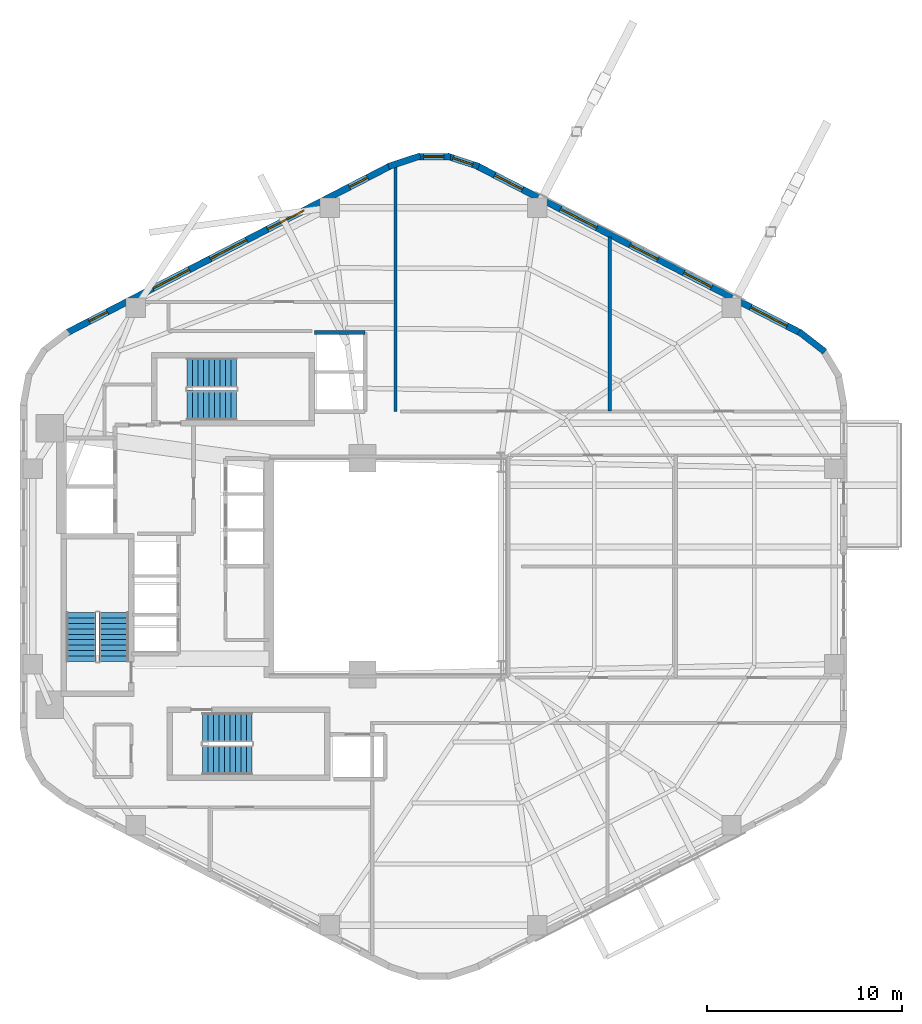
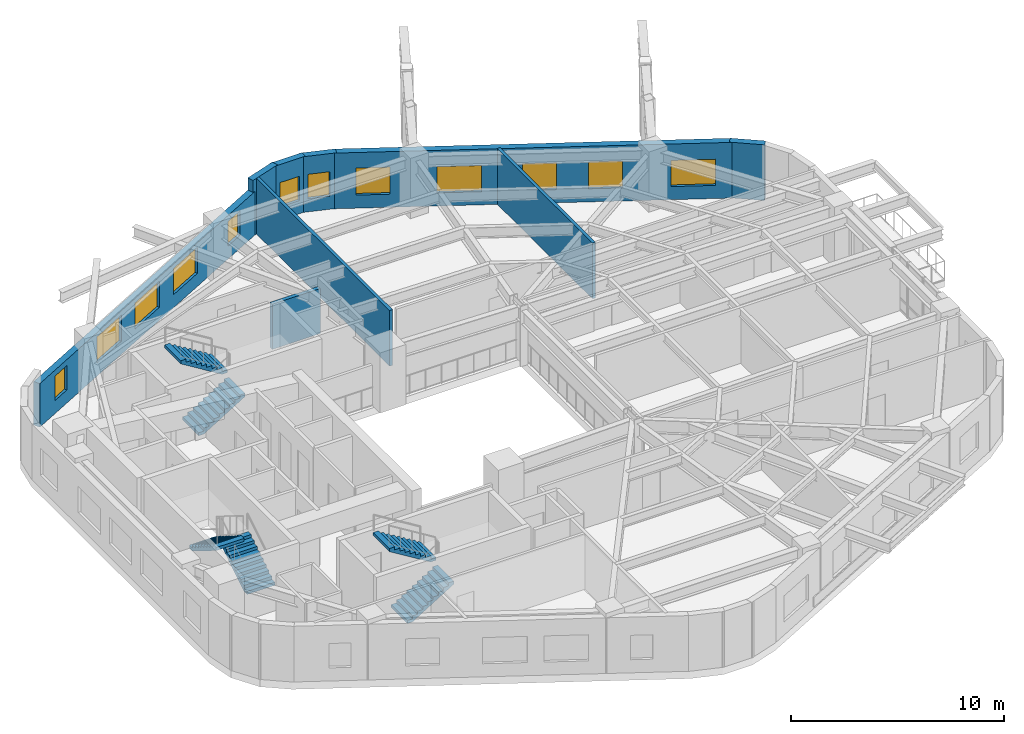
# One storey, part 7 of 9: 12 windows, 9 walls, 6 stair flights, 12 openings, 3 elements without a shape of their own.
"""IFC4 building model written with IfcOpenShell, lengths in metres."""

from ifc_helpers import new_model, si_unit, direction, frame, frame_2d, origin, place, context, subcontext, project, spatial, polyline, rectangle, outline, extrude, material, layer, layer_set, type_object, element, fill, aggregate, save


model = new_model("IFC4")

# Units and contexts
model_context = context("Model", 3, precision=1e-05, world=origin(), true_north=direction((0.0, 1.0)))
body_context = subcontext(model_context, "Body", "Model", "MODEL_VIEW")
ifc_project = project(units=[si_unit("LENGTHUNIT", "METRE"), si_unit("AREAUNIT", "SQUARE_METRE"), si_unit("VOLUMEUNIT", "CUBIC_METRE"), si_unit("PLANEANGLEUNIT", "RADIAN"), si_unit("MASSUNIT", "GRAM", prefix="KILO"), si_unit("THERMODYNAMICTEMPERATUREUNIT", "KELVIN"), si_unit("POWERUNIT", "WATT")], contexts=[model_context])

# Site, building, storey
site_placement = place(None, origin())
site = spatial("IfcSite", under=ifc_project, at=site_placement, CompositionType="ELEMENT")
building_placement = place(site_placement, origin())
building = spatial("IfcBuilding", under=site, at=building_placement, Name="Skarre Station Tower", CompositionType="ELEMENT")
storey_placement = place(building_placement, frame((0.0, 0.0, 101.550048828125)))
storey = spatial("IfcBuildingStorey", under=building, at=storey_placement, Name="L26", CompositionType="ELEMENT", Elevation=101.550048828125)

# Wall, openings, windows
ifc_material_1 = material(Name="Precast concrete C45/55", Category="concrete")
ifc_layer_1 = layer(ifc_material_1, 0.340087890625, Name="Precast concrete C45/55")
ifc_layer_set_1 = layer_set([ifc_layer_1], Name="Precast concrete C45/55")
wall_type_1 = type_object("IfcWallType", Name="Nordic Honed Precast Facet Wall 340", PredefinedType="STANDARD", material=ifc_layer_set_1)
wall_1_placement = place(storey_placement, frame((38.23095703125, 44.55810546875, 0.0), z_axis=(0.0, 0.0, 1.0), x_axis=(0.888613612362, -0.458656568606, 0.0)))
wall_1 = element("IfcWall", 1, at=wall_1_placement, inside=storey, type_object=wall_type_1, Name="L26 Facet 0 Nordic Precast Masonry Wall", PredefinedType="STANDARD", context=body_context, shape_type="SweptSolid", body=[
    extrude(rectangle(XDim=18.680908203125, YDim=0.340087890625, at=frame_2d((9.34033203125, 0.0))), origin(), (0.0, 0.0, 1.0), 3.18994140625),
])
opening_1_placement = place(wall_1_placement, frame((1.02294921875, 0.0, 0.75)))
opening_1 = element("IfcOpeningElement", 2, at=opening_1_placement, cuts=wall_1, Name="Opening WN-Z2A", PredefinedType="OPENING", context=body_context, shape_type="SweptSolid", body=[
    extrude(rectangle(XDim=1.60009765625, YDim=1.550048828125, at=frame_2d((0.800048828125, 0.77490234375))), frame((0.0, 0.179931640625, 0.0), z_axis=(0.0, -1.0, 0.0), x_axis=(1.0, 0.0, 0.0)), (0.0, 0.0, 1.0), 0.360107421875),
])
opening_2_placement = place(wall_1_placement, frame((4.820068359375, 0.0, 0.75)))
opening_2 = element("IfcOpeningElement", 3, at=opening_2_placement, cuts=wall_1, Name="Opening WN-Z2B", PredefinedType="OPENING", context=body_context, shape_type="SweptSolid", body=[
    extrude(rectangle(XDim=2.10009765625, YDim=1.5, at=frame_2d((1.050048828125, 0.75))), frame((0.0, 0.179931640625, 0.0), z_axis=(0.0, -1.0, 0.0), x_axis=(1.0, 0.0, 0.0)), (0.0, 0.0, 1.0), 0.360107421875),
])
opening_3_placement = place(wall_1_placement, frame((8.843017578125, 0.0, 0.75)))
opening_3 = element("IfcOpeningElement", 4, at=opening_3_placement, cuts=wall_1, Name="Opening WN-Z2A", PredefinedType="OPENING", context=body_context, shape_type="SweptSolid", body=[
    extrude(rectangle(XDim=1.60009765625, YDim=1.550048828125, at=frame_2d((0.800048828125, 0.77490234375))), frame((0.0, 0.179931640625, 0.0), z_axis=(0.0, -1.0, 0.0), x_axis=(1.0, 0.0, 0.0)), (0.0, 0.0, 1.0), 0.360107421875),
])
opening_4_placement = place(wall_1_placement, frame((11.950927734375, 0.0, 0.75)))
opening_4 = element("IfcOpeningElement", 5, at=opening_4_placement, cuts=wall_1, Name="Opening WN-Z2A", PredefinedType="OPENING", context=body_context, shape_type="SweptSolid", body=[
    extrude(rectangle(XDim=1.60009765625, YDim=1.550048828125, at=frame_2d((0.800048828125, 0.77490234375))), frame((0.0, 0.179931640625, 0.0), z_axis=(0.0, -1.0, 0.0), x_axis=(1.0, 0.0, 0.0)), (0.0, 0.0, 1.0), 0.360107421875),
])
opening_5_placement = place(wall_1_placement, frame((15.80810546875, 0.0, 0.75)))
opening_5 = element("IfcOpeningElement", 6, at=opening_5_placement, cuts=wall_1, Name="Opening WN-Z2B", PredefinedType="OPENING", context=body_context, shape_type="SweptSolid", body=[
    extrude(rectangle(XDim=2.10009765625, YDim=1.5, at=frame_2d((1.050048828125, 0.75))), frame((0.0, 0.179931640625, 0.0), z_axis=(0.0, -1.0, 0.0), x_axis=(1.0, 0.0, 0.0)), (0.0, 0.0, 1.0), 0.360107421875),
])
ifc_material_2 = material(Name="Low-Iron Triple Glazing with Bronze Anodized Frame", Category="glass")
window_type_1 = type_object("IfcWindowType", Name="Nordic Residential Tall Window 1600x1550", PartitioningType="SINGLE_PANEL", PredefinedType="WINDOW", material=ifc_material_2)
window_1_placement = place(opening_1_placement, origin())
window_1 = element("IfcWindow", 7, at=window_1_placement, inside=storey, type_object=window_type_1, Name="L26 Facade Window WL-FAC-L26-F0-1", OverallHeight=1.550048828125, OverallWidth=1.60009765625, PartitioningType="SINGLE_PANEL", PredefinedType="WINDOW", context=body_context, shape_type="SweptSolid", body=[
    extrude(rectangle(XDim=1.60009765625, YDim=1.550048828125, at=frame_2d((0.800048828125, 0.77490234375))), frame((0.0, 0.030029296875, 0.0), z_axis=(0.0, -1.0, 0.0), x_axis=(1.0, 0.0, 0.0)), (0.0, 0.0, 1.0), 0.06005859375),
])
fill(opening_1, window_1)
window_2_placement = place(opening_3_placement, origin())
window_2 = element("IfcWindow", 8, at=window_2_placement, inside=storey, type_object=window_type_1, Name="L26 Facade Window WL-FAC-L26-F0-3", OverallHeight=1.550048828125, OverallWidth=1.60009765625, PartitioningType="SINGLE_PANEL", PredefinedType="WINDOW", context=body_context, shape_type="SweptSolid", body=[
    extrude(rectangle(XDim=1.60009765625, YDim=1.550048828125, at=frame_2d((0.800048828125, 0.77490234375))), frame((0.0, 0.030029296875, 0.0), z_axis=(0.0, -1.0, 0.0), x_axis=(1.0, 0.0, 0.0)), (0.0, 0.0, 1.0), 0.06005859375),
])
fill(opening_3, window_2)
window_3_placement = place(opening_4_placement, origin())
window_3 = element("IfcWindow", 9, at=window_3_placement, inside=storey, type_object=window_type_1, Name="L26 Facade Window WL-FAC-L26-F0-4", OverallHeight=1.550048828125, OverallWidth=1.60009765625, PartitioningType="SINGLE_PANEL", PredefinedType="WINDOW", context=body_context, shape_type="SweptSolid", body=[
    extrude(rectangle(XDim=1.60009765625, YDim=1.550048828125, at=frame_2d((0.800048828125, 0.77490234375))), frame((0.0, 0.030029296875, 0.0), z_axis=(0.0, -1.0, 0.0), x_axis=(1.0, 0.0, 0.0)), (0.0, 0.0, 1.0), 0.06005859375),
])
fill(opening_4, window_3)
window_type_2 = type_object("IfcWindowType", Name="Nordic Residential Twin Window 2100x1500", PartitioningType="SINGLE_PANEL", PredefinedType="WINDOW", material=ifc_material_2)
window_4_placement = place(opening_2_placement, origin())
window_4 = element("IfcWindow", 10, at=window_4_placement, inside=storey, type_object=window_type_2, Name="L26 Facade Window WL-FAC-L26-F0-2", OverallHeight=1.5, OverallWidth=2.10009765625, PartitioningType="SINGLE_PANEL", PredefinedType="WINDOW", context=body_context, shape_type="SweptSolid", body=[
    extrude(rectangle(XDim=2.10009765625, YDim=1.5, at=frame_2d((1.050048828125, 0.75))), frame((0.0, 0.030029296875, 0.0), z_axis=(0.0, -1.0, 0.0), x_axis=(1.0, 0.0, 0.0)), (0.0, 0.0, 1.0), 0.06005859375),
])
fill(opening_2, window_4)
window_5_placement = place(opening_5_placement, origin())
window_5 = element("IfcWindow", 11, at=window_5_placement, inside=storey, type_object=window_type_2, Name="L26 Facade Window WL-FAC-L26-F0-5", OverallHeight=1.5, OverallWidth=2.10009765625, PartitioningType="SINGLE_PANEL", PredefinedType="WINDOW", context=body_context, shape_type="SweptSolid", body=[
    extrude(rectangle(XDim=2.10009765625, YDim=1.5, at=frame_2d((1.050048828125, 0.75))), frame((0.0, 0.030029296875, 0.0), z_axis=(0.0, -1.0, 0.0), x_axis=(1.0, 0.0, 0.0)), (0.0, 0.0, 1.0), 0.06005859375),
])
fill(opening_5, window_5)

wall_2_placement = place(storey_placement, frame((17.1689453125, 35.989990234375, 0.0), z_axis=(0.0, 0.0, 1.0), x_axis=(0.888613612362, 0.458656568606, 0.0)))
wall_2 = element("IfcWall", 12, at=wall_2_placement, inside=storey, type_object=wall_type_1, Name="L26 Facet 1 Nordic Precast Masonry Wall", PredefinedType="STANDARD", context=body_context, shape_type="SweptSolid", body=[
    extrude(rectangle(XDim=18.680908203125, YDim=0.340087890625, at=frame_2d((9.34033203125, 0.0))), origin(), (0.0, 0.0, 1.0), 2.493896484375),
])
opening_6_placement = place(wall_2_placement, frame((1.298095703125, 0.0, 0.75)))
opening_6 = element("IfcOpeningElement", 13, at=opening_6_placement, cuts=wall_2, Name="Opening WN-SLT", PredefinedType="OPENING", context=body_context, shape_type="SweptSolid", body=[
    extrude(rectangle(XDim=1.050048828125, YDim=1.39990234375, at=frame_2d((0.52490234375, 0.699951171875))), frame((0.0, 0.179931640625, 0.0), z_axis=(0.0, -1.0, 0.0), x_axis=(1.0, 0.0, 0.0)), (0.0, 0.0, 1.0), 0.360107421875),
])
opening_7_placement = place(wall_2_placement, frame((4.98095703125, 0.0, 0.75)))
opening_7 = element("IfcOpeningElement", 14, at=opening_7_placement, cuts=wall_2, Name="Opening WN-Z2B", PredefinedType="OPENING", context=body_context, shape_type="SweptSolid", body=[
    extrude(rectangle(XDim=2.10009765625, YDim=1.5, at=frame_2d((1.050048828125, 0.75))), frame((0.0, 0.179931640625, 0.0), z_axis=(0.0, -1.0, 0.0), x_axis=(1.0, 0.0, 0.0)), (0.0, 0.0, 1.0), 0.360107421875),
])
opening_8_placement = place(wall_2_placement, frame((8.2900390625, 0.0, 0.75)))
opening_8 = element("IfcOpeningElement", 15, at=opening_8_placement, cuts=wall_2, Name="Opening WN-Z2B", PredefinedType="OPENING", context=body_context, shape_type="SweptSolid", body=[
    extrude(rectangle(XDim=2.10009765625, YDim=1.5, at=frame_2d((1.050048828125, 0.75))), frame((0.0, 0.179931640625, 0.0), z_axis=(0.0, -1.0, 0.0), x_axis=(1.0, 0.0, 0.0)), (0.0, 0.0, 1.0), 0.360107421875),
])
opening_9_placement = place(wall_2_placement, frame((11.60009765625, 0.0, 0.75)))
opening_9 = element("IfcOpeningElement", 16, at=opening_9_placement, cuts=wall_2, Name="Opening WN-Z2B", PredefinedType="OPENING", context=body_context, shape_type="SweptSolid", body=[
    extrude(rectangle(XDim=2.10009765625, YDim=1.5, at=frame_2d((1.050048828125, 0.75))), frame((0.0, 0.179931640625, 0.0), z_axis=(0.0, -1.0, 0.0), x_axis=(1.0, 0.0, 0.0)), (0.0, 0.0, 1.0), 0.360107421875),
])
opening_10_placement = place(wall_2_placement, frame((16.3330078125, 0.0, 0.75)))
opening_10 = element("IfcOpeningElement", 17, at=opening_10_placement, cuts=wall_2, Name="Opening WN-SLT", PredefinedType="OPENING", context=body_context, shape_type="SweptSolid", body=[
    extrude(rectangle(XDim=1.050048828125, YDim=1.39990234375, at=frame_2d((0.52490234375, 0.699951171875))), frame((0.0, 0.179931640625, 0.0), z_axis=(0.0, -1.0, 0.0), x_axis=(1.0, 0.0, 0.0)), (0.0, 0.0, 1.0), 0.360107421875),
])
window_type_3 = type_object("IfcWindowType", Name="Nordic Corner Slot Window 1050x1400", PartitioningType="SINGLE_PANEL", PredefinedType="WINDOW", material=ifc_material_2)
window_6_placement = place(opening_6_placement, origin())
window_6 = element("IfcWindow", 18, at=window_6_placement, inside=storey, type_object=window_type_3, Name="L26 Facade Window WL-FAC-L26-F1-1", OverallHeight=1.39990234375, OverallWidth=1.050048828125, PartitioningType="SINGLE_PANEL", PredefinedType="WINDOW", context=body_context, shape_type="SweptSolid", body=[
    extrude(rectangle(XDim=1.050048828125, YDim=1.39990234375, at=frame_2d((0.52490234375, 0.699951171875))), frame((0.0, 0.030029296875, 0.0), z_axis=(0.0, -1.0, 0.0), x_axis=(1.0, 0.0, 0.0)), (0.0, 0.0, 1.0), 0.06005859375),
])
fill(opening_6, window_6)
window_7_placement = place(opening_10_placement, origin())
window_7 = element("IfcWindow", 19, at=window_7_placement, inside=storey, type_object=window_type_3, Name="L26 Facade Window WL-FAC-L26-F1-5", OverallHeight=1.39990234375, OverallWidth=1.050048828125, PartitioningType="SINGLE_PANEL", PredefinedType="WINDOW", context=body_context, shape_type="SweptSolid", body=[
    extrude(rectangle(XDim=1.050048828125, YDim=1.39990234375, at=frame_2d((0.52490234375, 0.699951171875))), frame((0.0, 0.030029296875, 0.0), z_axis=(0.0, -1.0, 0.0), x_axis=(1.0, 0.0, 0.0)), (0.0, 0.0, 1.0), 0.06005859375),
])
fill(opening_10, window_7)
window_8_placement = place(opening_7_placement, origin())
window_8 = element("IfcWindow", 20, at=window_8_placement, inside=storey, type_object=window_type_2, Name="L26 Facade Window WL-FAC-L26-F1-2", OverallHeight=1.5, OverallWidth=2.10009765625, PartitioningType="SINGLE_PANEL", PredefinedType="WINDOW", context=body_context, shape_type="SweptSolid", body=[
    extrude(rectangle(XDim=2.10009765625, YDim=1.5, at=frame_2d((1.050048828125, 0.75))), frame((0.0, 0.030029296875, 0.0), z_axis=(0.0, -1.0, 0.0), x_axis=(1.0, 0.0, 0.0)), (0.0, 0.0, 1.0), 0.06005859375),
])
fill(opening_7, window_8)
window_9_placement = place(opening_8_placement, origin())
window_9 = element("IfcWindow", 21, at=window_9_placement, inside=storey, type_object=window_type_2, Name="L26 Facade Window WL-FAC-L26-F1-3", OverallHeight=1.5, OverallWidth=2.10009765625, PartitioningType="SINGLE_PANEL", PredefinedType="WINDOW", context=body_context, shape_type="SweptSolid", body=[
    extrude(rectangle(XDim=2.10009765625, YDim=1.5, at=frame_2d((1.050048828125, 0.75))), frame((0.0, 0.030029296875, 0.0), z_axis=(0.0, -1.0, 0.0), x_axis=(1.0, 0.0, 0.0)), (0.0, 0.0, 1.0), 0.06005859375),
])
fill(opening_8, window_9)
window_10_placement = place(opening_9_placement, origin())
window_10 = element("IfcWindow", 22, at=window_10_placement, inside=storey, type_object=window_type_2, Name="L26 Facade Window WL-FAC-L26-F1-4", OverallHeight=1.5, OverallWidth=2.10009765625, PartitioningType="SINGLE_PANEL", PredefinedType="WINDOW", context=body_context, shape_type="SweptSolid", body=[
    extrude(rectangle(XDim=2.10009765625, YDim=1.5, at=frame_2d((1.050048828125, 0.75))), frame((0.0, 0.030029296875, 0.0), z_axis=(0.0, -1.0, 0.0), x_axis=(1.0, 0.0, 0.0)), (0.0, 0.0, 1.0), 0.06005859375),
])
fill(opening_9, window_10)

# Walls
ifc_layer_2 = layer(ifc_material_1, 0.330078125, Name="Precast concrete C45/55")
ifc_layer_set_2 = layer_set([ifc_layer_2], Name="Precast concrete C45/55")
wall_type_2 = type_object("IfcWallType", Name="Nordic Rounded Corner Precast Wall 330", PredefinedType="STANDARD", material=ifc_layer_set_2)
wall_3_placement = place(storey_placement, frame((54.757080078125, 36.050048828125, 0.0), z_axis=(0.0, 0.0, 1.0), x_axis=(0.790621329885, -0.612305408053, 0.0)))
element("IfcWall", 23, at=wall_3_placement, inside=storey, type_object=wall_type_2, Name="L26 Rounded Corner Precast Wall F0-1", PredefinedType="STANDARD", context=body_context, shape_type="SweptSolid", body=[
    extrude(rectangle(XDim=1.67578125, YDim=0.330078125, at=frame_2d((0.837890625, 0.0))), origin(), (0.0, 0.0, 1.0), 3.18994140625),
])
wall_4_placement = place(storey_placement, frame((33.680908203125, 44.531982421875, 0.0), z_axis=(0.0, 0.0, 1.0), x_axis=(0.949937416267, 0.312440242569, 0.0)))
element("IfcWall", 24, at=wall_4_placement, inside=storey, type_object=wall_type_2, Name="L26 Rounded Corner Precast Wall F1-1", PredefinedType="STANDARD", context=body_context, shape_type="SweptSolid", body=[
    extrude(rectangle(XDim=1.72216796875, YDim=0.330078125, at=frame_2d((0.861083984375, 0.0))), origin(), (0.0, 0.0, 1.0), 3.18994140625),
])

# Wall, opening, window
wall_5_placement = place(storey_placement, frame((35.138916015625, 45.041015625, 0.0), z_axis=(0.0, 0.0, 1.0), x_axis=(1.0, 0.0, 0.0)))
wall_5 = element("IfcWall", 25, at=wall_5_placement, inside=storey, type_object=wall_type_2, Name="L26 Rounded Corner Precast Wall F1-2", PredefinedType="STANDARD", context=body_context, shape_type="SweptSolid", body=[
    extrude(rectangle(XDim=1.72216796875, YDim=0.330078125, at=frame_2d((0.861083984375, 0.0))), origin(), (0.0, 0.0, 1.0), 3.18994140625),
])
opening_11_placement = place(wall_5_placement, frame((0.3359375, 0.0, 0.75)))
opening_11 = element("IfcOpeningElement", 26, at=opening_11_placement, cuts=wall_5, Name="Opening WN-SLT", PredefinedType="OPENING", context=body_context, shape_type="SweptSolid", body=[
    extrude(rectangle(XDim=1.050048828125, YDim=1.39990234375, at=frame_2d((0.52490234375, 0.699951171875))), frame((0.0, 0.175048828125, 0.0), z_axis=(0.0, -1.0, 0.0), x_axis=(1.0, 0.0, 0.0)), (0.0, 0.0, 1.0), 0.35009765625),
])
window_11_placement = place(opening_11_placement, origin())
window_11 = element("IfcWindow", 27, at=window_11_placement, inside=storey, type_object=window_type_3, Name="L26 Apex Corner Slot Window F1-2", OverallHeight=1.39990234375, OverallWidth=1.050048828125, PartitioningType="SINGLE_PANEL", PredefinedType="WINDOW", context=body_context, shape_type="SweptSolid", body=[
    extrude(rectangle(XDim=1.050048828125, YDim=1.39990234375, at=frame_2d((0.52490234375, 0.699951171875))), frame((0.0, 0.030029296875, 0.0), z_axis=(0.0, -1.0, 0.0), x_axis=(1.0, 0.0, 0.0)), (0.0, 0.0, 1.0), 0.06005859375),
])
fill(opening_11, window_11)

wall_6_placement = place(storey_placement, frame((36.68310546875, 45.070068359375, 0.0), z_axis=(0.0, 0.0, 1.0), x_axis=(0.949937416267, -0.312440242569, 0.0)))
wall_6 = element("IfcWall", 28, at=wall_6_placement, inside=storey, type_object=wall_type_2, Name="L26 Rounded Corner Precast Wall F1-3", PredefinedType="STANDARD", context=body_context, shape_type="SweptSolid", body=[
    extrude(rectangle(XDim=1.72216796875, YDim=0.330078125, at=frame_2d((0.861083984375, 0.0))), origin(), (0.0, 0.0, 1.0), 3.18994140625),
])
opening_12_placement = place(wall_6_placement, frame((0.3359375, 0.0, 0.75)))
opening_12 = element("IfcOpeningElement", 29, at=opening_12_placement, cuts=wall_6, Name="Opening WN-SLT", PredefinedType="OPENING", context=body_context, shape_type="SweptSolid", body=[
    extrude(rectangle(XDim=1.050048828125, YDim=1.39990234375, at=frame_2d((0.52490234375, 0.699951171875))), frame((0.0, 0.175048828125, 0.0), z_axis=(0.0, -1.0, 0.0), x_axis=(1.0, 0.0, 0.0)), (0.0, 0.0, 1.0), 0.35009765625),
])
window_12_placement = place(opening_12_placement, origin())
window_12 = element("IfcWindow", 30, at=window_12_placement, inside=storey, type_object=window_type_3, Name="L26 Apex Corner Slot Window F1-3", OverallHeight=1.39990234375, OverallWidth=1.050048828125, PartitioningType="SINGLE_PANEL", PredefinedType="WINDOW", context=body_context, shape_type="SweptSolid", body=[
    extrude(rectangle(XDim=1.050048828125, YDim=1.39990234375, at=frame_2d((0.52490234375, 0.699951171875))), frame((0.0, 0.030029296875, 0.0), z_axis=(0.0, -1.0, 0.0), x_axis=(1.0, 0.0, 0.0)), (0.0, 0.0, 1.0), 0.06005859375),
])
fill(opening_12, window_12)

# Walls
ifc_material_3 = material(Name="Gypsum Concrete Shaft Assembly C30/37", Category="concrete")
ifc_layer_3 = layer(ifc_material_3, 0.199951171875, Name="Gypsum Concrete Shaft Assembly C30/37")
ifc_layer_set_3 = layer_set([ifc_layer_3], Name="Gypsum Concrete Shaft Assembly C30/37")
wall_type_3 = type_object("IfcWallType", Name="Shaft & Core Fire Partition 200", PredefinedType="PARTITIONING", material=ifc_layer_set_3)
wall_7_placement = place(storey_placement, frame((29.8798828125, 36.0, 0.0), z_axis=(0.0, 0.0, 1.0), x_axis=(1.0, 0.0, 0.0)))
element("IfcWall", 31, at=wall_7_placement, inside=storey, type_object=wall_type_3, Name="L26 Interior Partition WL-PT-L26-EX-N", PredefinedType="PARTITIONING", context=body_context, shape_type="SweptSolid", body=[
    extrude(rectangle(XDim=2.60009765625, YDim=0.199951171875, at=frame_2d((1.300048828125, 0.0))), origin(), (0.0, 0.0, 1.0), 2.58203125),
])
ifc_material_4 = material(Name="Acoustic Steel-Stud Gypsum Partition", Category="steel")
ifc_layer_4 = layer(ifc_material_4, 0.1650390625, Name="Acoustic Steel-Stud Gypsum Partition")
ifc_layer_set_4 = layer_set([ifc_layer_4], Name="Acoustic Steel-Stud Gypsum Partition")
wall_type_4 = type_object("IfcWallType", Name="Suite Demising Acoustic Partition 165", PredefinedType="PARTITIONING", material=ifc_layer_set_4)
wall_8_placement = place(storey_placement, frame((34.0400390625, 31.9599609375, 0.0), z_axis=(0.0, 0.0, 1.0), x_axis=(0.0, 1.0, 0.0)))
element("IfcWall", 32, at=wall_8_placement, inside=storey, type_object=wall_type_4, Name="L26 Interior Partition WL-PT-L26-NW-WBND", PredefinedType="PARTITIONING", context=body_context, shape_type="SweptSolid", body=[
    extrude(rectangle(XDim=12.55810546875, YDim=0.1650390625, at=frame_2d((6.279052734375, 0.0))), origin(), (0.0, 0.0, 1.0), 3.18994140625),
])
wall_9_placement = place(storey_placement, frame((45.0419921875, 31.969970703125, 0.0), z_axis=(0.0, 0.0, 1.0), x_axis=(0.0, 1.0, 0.0)))
element("IfcWall", 33, at=wall_9_placement, inside=storey, type_object=wall_type_4, Name="L26 Interior Partition WL-PT-L26-NW-P1", PredefinedType="PARTITIONING", context=body_context, shape_type="SweptSolid", body=[
    extrude(rectangle(XDim=8.93701171875, YDim=0.1650390625, at=frame_2d((4.468505859375, 0.0))), origin(), (0.0, 0.0, 1.0), 3.18994140625),
])

# Stair, stair flights
ifc_material_5 = material(Name="Concrete C40/50", Category="concrete")
stair_type_1 = type_object("IfcStairType", Name="Reinforced Concrete Exit Stair ST-1", PredefinedType="HALF_TURN_STAIR", material=ifc_material_5)
stair_1_placement = place(storey_placement, origin())
stair_1 = element("IfcStair", 34, at=stair_1_placement, inside=storey, type_object=stair_type_1, Name="L26 Core Exit Stair ST-1", PredefinedType="HALF_TURN_STAIR")
stair_flight_type_1 = type_object("IfcStairFlightType", Name="Reinforced Concrete Stair Flight ST-1", PredefinedType="STRAIGHT", material=ifc_material_5)
stair_flight_1_placement = place(storey_placement, frame((19.590087890625, 19.1201171875, 0.0), z_axis=(0.0, 0.0, 1.0), x_axis=(0.0, 1.0, 0.0)))
stair_flight_1 = element("IfcStairFlight", 35, at=stair_flight_1_placement, type_object=stair_flight_type_1, Name="ST-1 flight 1", NumberOfRisers=10, NumberOfTreads=9, PredefinedType="STRAIGHT", RiserHeight=0.1725, TreadLength=0.28, context=body_context, shape_type="SweptSolid", body=[
    extrude(outline(polyline([(0.0, 0.0), (0.0, 0.172607421875), (0.280029296875, 0.172607421875), (0.280029296875, 0.344970703125), (0.56005859375, 0.344970703125), (0.56005859375, 0.517578125), (0.840087890625, 0.517578125), (0.840087890625, 0.68994140625), (1.1201171875, 0.68994140625), (1.1201171875, 0.862548828125), (1.39990234375, 0.862548828125), (1.39990234375, 1.034912109375), (1.679931640625, 1.034912109375), (1.679931640625, 1.20751953125), (1.9599609375, 1.20751953125), (1.9599609375, 1.3798828125), (2.239990234375, 1.3798828125), (2.239990234375, 1.552490234375), (2.52001953125, 1.552490234375), (2.52001953125, 1.72509765625), (2.52001953125, 1.37646484375), (0.285888671875, 0.0), (0.0, 0.0)])), frame((0.0, 0.760009765625, 0.0), z_axis=(0.0, -1.0, 0.0), x_axis=(1.0, 0.0, 0.0)), (0.0, 0.0, 1.0), 1.52001953125),
])
stair_flight_2_placement = place(storey_placement, frame((17.909912109375, 21.639892578125, 1.724853515625), z_axis=(0.0, 0.0, 1.0), x_axis=(0.0, -1.0, 0.0)))
stair_flight_2 = element("IfcStairFlight", 36, at=stair_flight_2_placement, type_object=stair_flight_type_1, Name="ST-1 flight 2", NumberOfRisers=10, NumberOfTreads=9, PredefinedType="STRAIGHT", RiserHeight=0.1725, TreadLength=0.28, context=body_context, shape_type="SweptSolid", body=[
    extrude(outline(polyline([(0.0, 0.0), (0.0, 0.172607421875), (0.280029296875, 0.172607421875), (0.280029296875, 0.344970703125), (0.56005859375, 0.344970703125), (0.56005859375, 0.517578125), (0.840087890625, 0.517578125), (0.840087890625, 0.68994140625), (1.1201171875, 0.68994140625), (1.1201171875, 0.862548828125), (1.39990234375, 0.862548828125), (1.39990234375, 1.034912109375), (1.679931640625, 1.034912109375), (1.679931640625, 1.20751953125), (1.9599609375, 1.20751953125), (1.9599609375, 1.3798828125), (2.239990234375, 1.3798828125), (2.239990234375, 1.552490234375), (2.52001953125, 1.552490234375), (2.52001953125, 1.72509765625), (2.52001953125, 1.37646484375), (0.285888671875, 0.0), (0.0, 0.0)])), frame((0.0, 0.760009765625, 0.0), z_axis=(0.0, -1.0, 0.0), x_axis=(1.0, 0.0, 0.0)), (0.0, 0.0, 1.0), 1.52001953125),
])
aggregate(stair_1, [stair_flight_1, stair_flight_2])

stair_type_2 = type_object("IfcStairType", Name="Reinforced Concrete Exit Stair ST-2", PredefinedType="HALF_TURN_STAIR", material=ifc_material_5)
stair_2_placement = place(storey_placement, origin())
stair_2 = element("IfcStair", 37, at=stair_2_placement, inside=storey, type_object=stair_type_2, Name="L26 Core Exit Stair ST-2", PredefinedType="HALF_TURN_STAIR")
stair_flight_type_2 = type_object("IfcStairFlightType", Name="Reinforced Concrete Stair Flight ST-2", PredefinedType="STRAIGHT", material=ifc_material_5)
stair_flight_3_placement = place(storey_placement, frame((24.14990234375, 14.06005859375, 0.0), z_axis=(0.0, 0.0, 1.0), x_axis=(1.0, 0.0, 0.0)))
stair_flight_3 = element("IfcStairFlight", 38, at=stair_flight_3_placement, type_object=stair_flight_type_2, Name="ST-2 flight 1", NumberOfRisers=10, NumberOfTreads=9, PredefinedType="STRAIGHT", RiserHeight=0.1725, TreadLength=0.28, context=body_context, shape_type="SweptSolid", body=[
    extrude(outline(polyline([(0.0, 0.0), (0.0, 0.172607421875), (0.280029296875, 0.172607421875), (0.280029296875, 0.344970703125), (0.56005859375, 0.344970703125), (0.56005859375, 0.517578125), (0.840087890625, 0.517578125), (0.840087890625, 0.68994140625), (1.1201171875, 0.68994140625), (1.1201171875, 0.862548828125), (1.39990234375, 0.862548828125), (1.39990234375, 1.034912109375), (1.679931640625, 1.034912109375), (1.679931640625, 1.20751953125), (1.9599609375, 1.20751953125), (1.9599609375, 1.3798828125), (2.239990234375, 1.3798828125), (2.239990234375, 1.552490234375), (2.52001953125, 1.552490234375), (2.52001953125, 1.72509765625), (2.52001953125, 1.37646484375), (0.285888671875, 0.0), (0.0, 0.0)])), frame((0.0, 0.760009765625, 0.0), z_axis=(0.0, -1.0, 0.0), x_axis=(1.0, 0.0, 0.0)), (0.0, 0.0, 1.0), 1.52001953125),
])
stair_flight_4_placement = place(storey_placement, frame((26.669921875, 15.739990234375, 1.724853515625), z_axis=(0.0, 0.0, 1.0), x_axis=(-1.0, 0.0, 0.0)))
stair_flight_4 = element("IfcStairFlight", 39, at=stair_flight_4_placement, type_object=stair_flight_type_2, Name="ST-2 flight 2", NumberOfRisers=10, NumberOfTreads=9, PredefinedType="STRAIGHT", RiserHeight=0.1725, TreadLength=0.28, context=body_context, shape_type="SweptSolid", body=[
    extrude(outline(polyline([(0.0, 0.0), (0.0, 0.172607421875), (0.280029296875, 0.172607421875), (0.280029296875, 0.344970703125), (0.56005859375, 0.344970703125), (0.56005859375, 0.517578125), (0.840087890625, 0.517578125), (0.840087890625, 0.68994140625), (1.1201171875, 0.68994140625), (1.1201171875, 0.862548828125), (1.39990234375, 0.862548828125), (1.39990234375, 1.034912109375), (1.679931640625, 1.034912109375), (1.679931640625, 1.20751953125), (1.9599609375, 1.20751953125), (1.9599609375, 1.3798828125), (2.239990234375, 1.3798828125), (2.239990234375, 1.552490234375), (2.52001953125, 1.552490234375), (2.52001953125, 1.72509765625), (2.52001953125, 1.37646484375), (0.285888671875, 0.0), (0.0, 0.0)])), frame((0.0, 0.760009765625, 0.0), z_axis=(0.0, -1.0, 0.0), x_axis=(1.0, 0.0, 0.0)), (0.0, 0.0, 1.0), 1.52001953125),
])
aggregate(stair_2, [stair_flight_3, stair_flight_4])

stair_type_3 = type_object("IfcStairType", Name="Reinforced Concrete Exit Stair ST-3", PredefinedType="HALF_TURN_STAIR", material=ifc_material_5)
stair_3_placement = place(storey_placement, origin())
stair_3 = element("IfcStair", 40, at=stair_3_placement, inside=storey, type_object=stair_type_3, Name="L26 Core Exit Stair ST-3", PredefinedType="HALF_TURN_STAIR")
stair_flight_type_3 = type_object("IfcStairFlightType", Name="Reinforced Concrete Stair Flight ST-3", PredefinedType="STRAIGHT", material=ifc_material_5)
stair_flight_5_placement = place(storey_placement, frame((23.35009765625, 32.260009765625, 0.0), z_axis=(0.0, 0.0, 1.0), x_axis=(1.0, 0.0, 0.0)))
stair_flight_5 = element("IfcStairFlight", 41, at=stair_flight_5_placement, type_object=stair_flight_type_3, Name="ST-3 flight 1", NumberOfRisers=10, NumberOfTreads=9, PredefinedType="STRAIGHT", RiserHeight=0.1725, TreadLength=0.28, context=body_context, shape_type="SweptSolid", body=[
    extrude(outline(polyline([(0.0, 0.0), (0.0, 0.172607421875), (0.280029296875, 0.172607421875), (0.280029296875, 0.344970703125), (0.56005859375, 0.344970703125), (0.56005859375, 0.517578125), (0.840087890625, 0.517578125), (0.840087890625, 0.68994140625), (1.1201171875, 0.68994140625), (1.1201171875, 0.862548828125), (1.39990234375, 0.862548828125), (1.39990234375, 1.034912109375), (1.679931640625, 1.034912109375), (1.679931640625, 1.20751953125), (1.9599609375, 1.20751953125), (1.9599609375, 1.3798828125), (2.239990234375, 1.3798828125), (2.239990234375, 1.552490234375), (2.52001953125, 1.552490234375), (2.52001953125, 1.72509765625), (2.52001953125, 1.37646484375), (0.285888671875, 0.0), (0.0, 0.0)])), frame((0.0, 0.760009765625, 0.0), z_axis=(0.0, -1.0, 0.0), x_axis=(1.0, 0.0, 0.0)), (0.0, 0.0, 1.0), 1.52001953125),
])
stair_flight_6_placement = place(storey_placement, frame((25.8701171875, 33.93994140625, 1.724853515625), z_axis=(0.0, 0.0, 1.0), x_axis=(-1.0, 0.0, 0.0)))
stair_flight_6 = element("IfcStairFlight", 42, at=stair_flight_6_placement, type_object=stair_flight_type_3, Name="ST-3 flight 2", NumberOfRisers=10, NumberOfTreads=9, PredefinedType="STRAIGHT", RiserHeight=0.1725, TreadLength=0.28, context=body_context, shape_type="SweptSolid", body=[
    extrude(outline(polyline([(0.0, 0.0), (0.0, 0.172607421875), (0.280029296875, 0.172607421875), (0.280029296875, 0.344970703125), (0.56005859375, 0.344970703125), (0.56005859375, 0.517578125), (0.840087890625, 0.517578125), (0.840087890625, 0.68994140625), (1.1201171875, 0.68994140625), (1.1201171875, 0.862548828125), (1.39990234375, 0.862548828125), (1.39990234375, 1.034912109375), (1.679931640625, 1.034912109375), (1.679931640625, 1.20751953125), (1.9599609375, 1.20751953125), (1.9599609375, 1.3798828125), (2.239990234375, 1.3798828125), (2.239990234375, 1.552490234375), (2.52001953125, 1.552490234375), (2.52001953125, 1.72509765625), (2.52001953125, 1.37646484375), (0.285888671875, 0.0), (0.0, 0.0)])), frame((0.0, 0.760009765625, 0.0), z_axis=(0.0, -1.0, 0.0), x_axis=(1.0, 0.0, 0.0)), (0.0, 0.0, 1.0), 1.52001953125),
])
aggregate(stair_3, [stair_flight_5, stair_flight_6])

save(model, "model.ifc")
